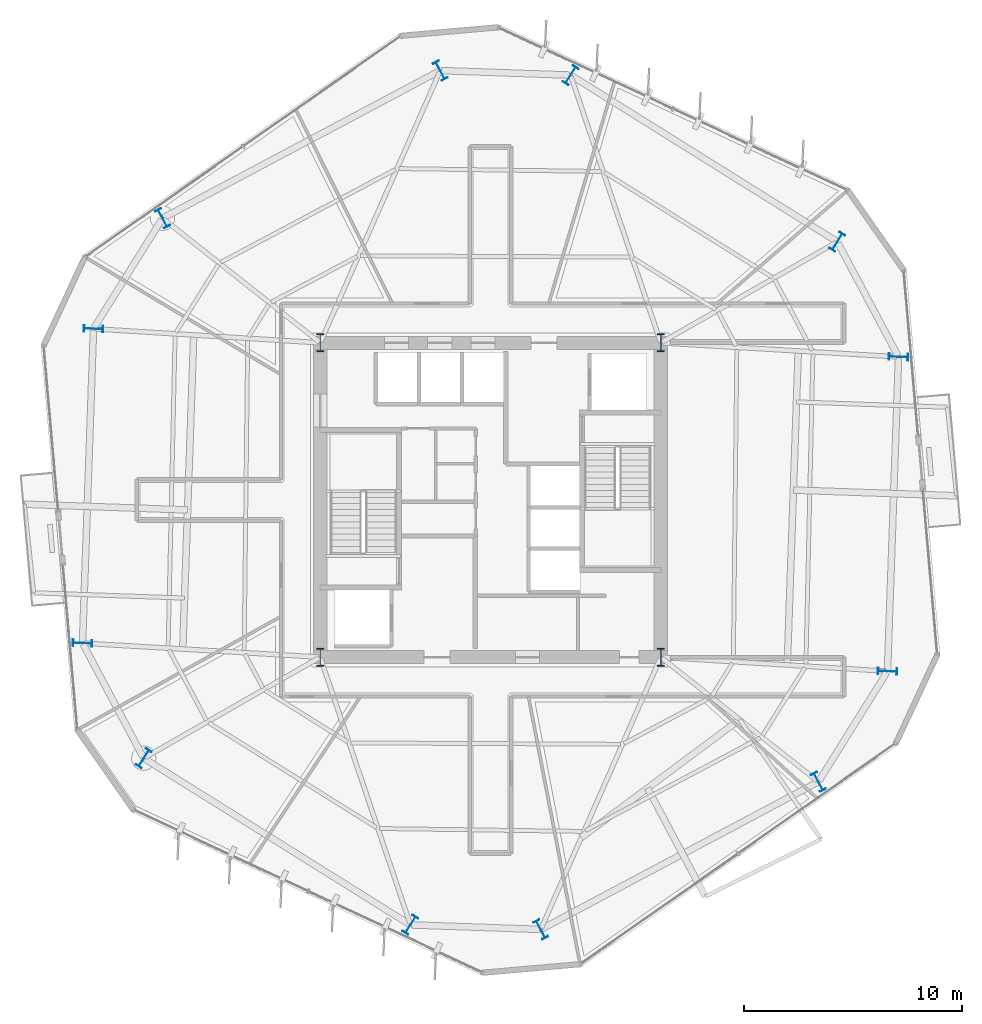
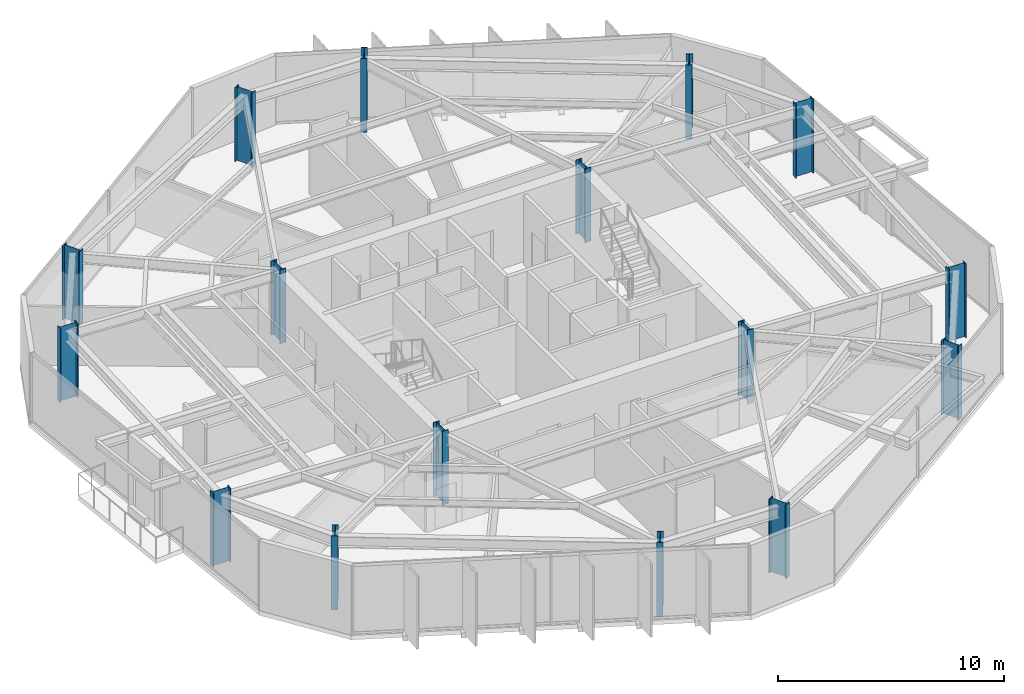
# One storey, part 1 of 13: 16 columns.
"""IFC4 building model written with IfcOpenShell, lengths in metres."""

import ifcopenshell
import ifcopenshell.guid

model = None  # the IFC model being written
_history = None  # IfcOwnerHistory: only IFC2X3 demands one
_inside = {}  # id of a spatial element -> (the spatial element, [elements in it])
_under = {}  # id of a project, library or spatial element -> (it, [spatial elements below it])
_declared = {}  # id of a project -> (the project, [libraries it declares])
_typed = {}  # id of a type object -> (the type object, [elements of that type])
_made_of = {}  # id of a material, layer set ... -> (it, [elements and type objects made of it])


def new_model(schema):
    """Start an empty IFC model of exactly this schema.

    Asked for "IFC4X3", IfcOpenShell would pick the latest addendum, in which some entities
    have other attributes; the version numbers below select the first issue.
    IFC2X3 requires an IfcOwnerHistory on every rooted entity: one is made here for all.
    """
    global model, _history
    if schema == "IFC4X3":
        model = ifcopenshell.file(schema_version=(4, 3, 0, 0))
    else:
        model = ifcopenshell.file(schema=schema)
    _inside.clear()
    _under.clear()
    _declared.clear()
    _typed.clear()
    _made_of.clear()
    _history = None
    if model.schema == "IFC2X3":
        org = make("IfcOrganization", Name="unknown")
        user = make(
            "IfcPersonAndOrganization",
            ThePerson=make("IfcPerson", FamilyName="unknown"),
            TheOrganization=org,
        )
        app = make(
            "IfcApplication",
            ApplicationDeveloper=org,
            Version="unknown",
            ApplicationFullName="unknown",
            ApplicationIdentifier="unknown",
        )
        _history = make(
            "IfcOwnerHistory",
            OwningUser=user,
            OwningApplication=app,
            ChangeAction="ADDED",
            CreationDate=0,
        )
    return model


def make(cls, **values):
    """One entity of the class cls with the attributes given. An attribute that is None is left unset."""
    return model.create_entity(
        cls, **{name: value for name, value in values.items() if value is not None}
    )


def rooted(cls, **values):
    """An entity with a GlobalId (a new one), such as an element, a storey or a relation."""
    return make(cls, GlobalId=ifcopenshell.guid.new(), OwnerHistory=_history, **values)


def si_unit(unit_type, name, prefix=None):
    """IfcSIUnit, for example si_unit("LENGTHUNIT", "METRE", prefix="MILLI")."""
    return make("IfcSIUnit", UnitType=unit_type, Prefix=prefix, Name=name)


def assignment(units):
    """IfcUnitAssignment: the units of a project."""
    return None if units is None else make("IfcUnitAssignment", Units=units)


def point(xyz):
    """IfcCartesianPoint."""
    return None if xyz is None else make("IfcCartesianPoint", Coordinates=xyz)


def direction(xyz):
    """IfcDirection."""
    return None if xyz is None else make("IfcDirection", DirectionRatios=xyz)


def frame(location, z_axis=None, x_axis=None):
    """IfcAxis2Placement3D, a coordinate frame: its origin and axes. An axis left out is left unset."""
    return make(
        "IfcAxis2Placement3D",
        Location=point(location),
        Axis=direction(z_axis),
        RefDirection=direction(x_axis),
    )


def frame_2d(location, x_axis=None):
    """IfcAxis2Placement2D, a coordinate frame in the plane: its origin and x axis."""
    return make(
        "IfcAxis2Placement2D", Location=point(location), RefDirection=direction(x_axis)
    )


def origin():
    """The frame at (0, 0, 0) with its axes left unset."""
    return frame((0.0, 0.0, 0.0))


def origin_2d():
    """The frame at (0, 0) in the plane with its x axis left unset."""
    return frame_2d((0.0, 0.0))


def place(relative_to, where):
    """IfcLocalPlacement: puts the frame where relative to a parent placement (None: the world)."""
    return make(
        "IfcLocalPlacement", PlacementRelTo=relative_to, RelativePlacement=where
    )


def context(
    kind, dimensions, precision=None, world=None, true_north=None, identifier=None
):
    """IfcGeometricRepresentationContext, for example the 3D "Model" context."""
    return make(
        "IfcGeometricRepresentationContext",
        ContextIdentifier=identifier,
        ContextType=kind,
        CoordinateSpaceDimension=dimensions,
        Precision=precision,
        WorldCoordinateSystem=world,
        TrueNorth=true_north,
    )


def subcontext(parent, identifier, kind, view, scale=None):
    """IfcGeometricRepresentationSubContext, for example "Body" below "Model"."""
    return make(
        "IfcGeometricRepresentationSubContext",
        ContextIdentifier=identifier,
        ContextType=kind,
        ParentContext=parent,
        TargetScale=scale,
        TargetView=view,
    )


def project(units=None, contexts=None):
    """IfcProject with its units and contexts."""
    return rooted(
        "IfcProject",
        Name="project",
        RepresentationContexts=contexts,
        UnitsInContext=assignment(units),
    )


def spatial(cls, under=None, at=None, **own):
    """A site, building, storey or space (cls), placed at a placement, below another one or the project."""
    s = rooted(cls, ObjectPlacement=at, **own)
    if under is not None:
        _under.setdefault(under.id(), (under, []))[1].append(s)
    return s


def profile(cls, at=None, kind="AREA", **sizes):
    """A parametric profile (cls). Its sizes go by their IFC names, for example OverallWidth=200.0."""
    return make(cls, ProfileType=kind, Position=at, **sizes)


def i_section(**sizes):
    """IfcIShapeProfileDef."""
    return profile("IfcIShapeProfileDef", **sizes)


def extrude(swept, where, along, depth):
    """IfcExtrudedAreaSolid: the profile swept, set in the frame where, extruded along a direction by depth."""
    return make(
        "IfcExtrudedAreaSolid",
        SweptArea=swept,
        Position=where,
        ExtrudedDirection=direction(along),
        Depth=depth,
    )


def shape(context_of_items, identifier, shape_type, items):
    """IfcShapeRepresentation: the items that make up one representation, for example the "Body"."""
    return make(
        "IfcShapeRepresentation",
        ContextOfItems=context_of_items,
        RepresentationIdentifier=identifier,
        RepresentationType=shape_type,
        Items=items,
    )


def material(Name=None, Category=None):
    """IfcMaterial."""
    return make("IfcMaterial", Name=Name, Category=Category)


def material_profile(
    of_material, cross_section, Name=None, Category=None, Priority=None
):
    """IfcMaterialProfile: a cross section and its material."""
    return make(
        "IfcMaterialProfile",
        Name=Name,
        Material=of_material,
        Profile=cross_section,
        Priority=Priority,
        Category=Category,
    )


def profile_set(profiles, Name=None, composite=None):
    """IfcMaterialProfileSet."""
    return make(
        "IfcMaterialProfileSet",
        Name=Name,
        MaterialProfiles=profiles,
        CompositeProfile=composite,
    )


def made_of(thing, what):
    """Note that an element or type object is made of a material, layer set ...; save() writes the relation."""
    if what is not None:
        _made_of.setdefault(what.id(), (what, []))[1].append(thing)
    return thing


def type_object(cls, material=None, **own):
    """A type object (cls), such as IfcWallType, which elements share."""
    return made_of(rooted(cls, **own), material)


def element(
    cls,
    number,
    at=None,
    inside=None,
    cuts=None,
    type_object=None,
    material=None,
    context=None,
    identifier="Body",
    shape_type=None,
    held_by="IfcProductDefinitionShape",
    body=None,
    shapes=None,
    **own,
):
    """One element of the class cls, such as IfcWall. Its Tag is "e" and its number.

    at: its placement. inside: the storey or other place that contains it. cuts: it is an
    opening in that element (IfcRelVoidsElement). A single representation is given by context,
    identifier, shape_type and body (its items); several are given by shapes. held_by: the class
    of the entity that holds the representations. save() writes the other relations.
    """
    e = rooted(cls, Tag="e%d" % number, ObjectPlacement=at, **own)
    if body is not None:
        shapes = [shape(context, identifier, shape_type, body)]
    if shapes is not None:
        e.Representation = make(held_by, Representations=shapes)
    if inside is not None:
        _inside.setdefault(inside.id(), (inside, []))[1].append(e)
    if cuts is not None:
        rooted(
            "IfcRelVoidsElement", RelatingBuildingElement=cuts, RelatedOpeningElement=e
        )
    if type_object is not None:
        _typed.setdefault(type_object.id(), (type_object, []))[1].append(e)
    return made_of(e, material)


def aggregate(whole, parts):
    """IfcRelAggregates: a whole, such as a stair, and the parts it consists of."""
    return rooted("IfcRelAggregates", RelatingObject=whole, RelatedObjects=parts)


def save(model, path):
    """Write the relations noted so far, then the file.

    IfcRelAggregates (storeys below a building ...), IfcRelContainedInSpatialStructure (elements
    in a storey), IfcRelDefinesByType, IfcRelAssociatesMaterial and IfcRelDeclares: one each for
    every whole, place, type object, material and project.
    """
    for whole, parts in _under.values():
        aggregate(whole, parts)
    for where, things in _inside.values():
        rooted(
            "IfcRelContainedInSpatialStructure",
            RelatedElements=things,
            RelatingStructure=where,
        )
    for kind, things in _typed.values():
        rooted("IfcRelDefinesByType", RelatedObjects=things, RelatingType=kind)
    for what, things in _made_of.values():
        rooted("IfcRelAssociatesMaterial", RelatedObjects=things, RelatingMaterial=what)
    for by, libraries in _declared.values():
        rooted("IfcRelDeclares", RelatingContext=by, RelatedDefinitions=libraries)
    model.write(path)


model = new_model("IFC4")

# Units and contexts
model_context = context("Model", 3, precision=1e-05, world=origin(), true_north=direction((0.0, 1.0)))
body_context = subcontext(model_context, "Body", "Model", "MODEL_VIEW")
ifc_project = project(units=[si_unit("LENGTHUNIT", "METRE"), si_unit("AREAUNIT", "SQUARE_METRE"), si_unit("VOLUMEUNIT", "CUBIC_METRE"), si_unit("PLANEANGLEUNIT", "RADIAN"), si_unit("MASSUNIT", "GRAM", prefix="KILO")], contexts=[model_context])

# Site, building, storey
site_placement = place(None, origin())
site = spatial("IfcSite", under=ifc_project, at=site_placement, CompositionType="ELEMENT")
building_placement = place(site_placement, origin())
building = spatial("IfcBuilding", under=site, at=building_placement, Name="Kranzbogen Civic Tower", CompositionType="ELEMENT")
storey_placement = place(building_placement, frame((0.0, 0.0, 162.39990234375)))
storey = spatial("IfcBuildingStorey", under=building, at=storey_placement, Name="L39", CompositionType="ELEMENT", Elevation=162.39990234375)

# Columns
ifc_material_1 = material(Name="Steel S355", Category="steel")
ifc_material_profile_1 = material_profile(ifc_material_1, i_section(OverallWidth=0.300048828125, OverallDepth=0.89990234375, WebThickness=0.0185546875, FlangeThickness=0.034912109375, at=origin_2d()), Name="HEB 900")
ifc_profile_set_1 = profile_set([ifc_material_profile_1], Name="Steel S355")
column_type_1 = type_object("IfcColumnType", Name="Structural Column HEB 900", PredefinedType="COLUMN", material=ifc_profile_set_1)
for number, where, z_axis, x_axis, name in (
    (1, (40.885986328125, 36.8291015625, 0.0), (0.0, 0.0, 1.0), (-0.848048096156, 0.529919264233, 0.0), "L39 tower perimeter tube column 01"),
    (2, (28.66796875, 44.464111328125, 0.0), (0.0, 0.0, 1.0), (-0.848048096156, 0.529919264233, 0.0), "L39 tower perimeter tube column 02"),
    (3, (22.698974609375, 44.672119140625, 0.0), (0.0, 0.0, 1.0), (0.882947592859, 0.469471562786, 0.0), "L39 tower perimeter tube column 03"),
    (4, (9.97705078125, 37.907958984375, 0.0), (0.0, 0.0, 1.0), (0.882947592859, 0.469471562786, 0.0), "L39 tower perimeter tube column 04"),
    (5, (6.81298828125, 32.843994140625, 0.0), (0.0, 0.0, 1.0), (0.034899496703, 0.999390827019, 0.0), "L39 tower perimeter tube column 05"),
    (6, (6.31005859375, 18.444091796875, 0.0), (0.0, 0.0, 1.0), (0.034899496703, 0.999390827019, 0.0), "L39 tower perimeter tube column 06"),
    (7, (9.114013671875, 13.1708984375, 0.0), (0.0, 0.0, 1.0), (-0.848048096156, 0.529919264233, 0.0), "L39 tower perimeter tube column 07"),
    (8, (21.33203125, 5.535888671875, 0.0), (0.0, 0.0, 1.0), (-0.848048096156, 0.529919264233, 0.0), "L39 tower perimeter tube column 08"),
    (9, (27.301025390625, 5.327880859375, 0.0), (0.0, 0.0, 1.0), (0.882947592859, 0.469471562786, 0.0), "L39 tower perimeter tube column 09"),
    (10, (40.02294921875, 12.092041015625, 0.0), (0.0, 0.0, 1.0), (0.882947592859, 0.469471562786, 0.0), "L39 tower perimeter tube column 10"),
    (11, (43.18701171875, 17.156005859375, 0.0), (0.0, 0.0, 1.0), (0.034899496703, 0.999390827019, 0.0), "L39 tower perimeter tube column 11"),
    (12, (43.68994140625, 31.555908203125, 0.0), (0.0, 0.0, 1.0), (0.034899496703, 0.999390827019, 0.0), "L39 tower perimeter tube column 12"),
):
    element("IfcColumn", number, at=place(storey_placement, frame(where, z_axis=z_axis, x_axis=x_axis)), inside=storey, type_object=column_type_1, Name=name, PredefinedType="COLUMN", context=body_context, shape_type="SweptSolid", body=[
        extrude(i_section(OverallWidth=0.300048828125, OverallDepth=0.89990234375, WebThickness=0.0185546875, FlangeThickness=0.034912109375, at=origin_2d()), origin(), (0.0, 0.0, 1.0), 4.0),
    ])
ifc_material_2 = material(Name="Steel S460", Category="steel")
ifc_material_profile_2 = material_profile(ifc_material_2, i_section(OverallWidth=0.302978515625, OverallDepth=0.81396484375, WebThickness=0.02099609375, FlangeThickness=0.0400390625, at=origin_2d()), Name="HEM 800")
ifc_profile_set_2 = profile_set([ifc_material_profile_2], Name="Steel S460")
column_type_2 = type_object("IfcColumnType", Name="Structural Column HEM 800", PredefinedType="COLUMN", material=ifc_profile_set_2)
for number, where, z_axis, x_axis, name in (
    (13, (17.199951171875, 17.800048828125, 0.0), (0.0, 0.0, 1.0), (1.0, 0.0, 0.0), "L39 composite core corner column 1"),
    (14, (32.800048828125, 17.800048828125, 0.0), (0.0, 0.0, 1.0), (1.0, 0.0, 0.0), "L39 composite core corner column 2"),
    (15, (32.800048828125, 32.199951171875, 0.0), (0.0, 0.0, 1.0), (1.0, 0.0, 0.0), "L39 composite core corner column 3"),
    (16, (17.199951171875, 32.199951171875, 0.0), (0.0, 0.0, 1.0), (1.0, 0.0, 0.0), "L39 composite core corner column 4"),
):
    element("IfcColumn", number, at=place(storey_placement, frame(where, z_axis=z_axis, x_axis=x_axis)), inside=storey, type_object=column_type_2, Name=name, PredefinedType="COLUMN", context=body_context, shape_type="SweptSolid", body=[
        extrude(i_section(OverallWidth=0.302978515625, OverallDepth=0.81396484375, WebThickness=0.02099609375, FlangeThickness=0.0400390625, at=origin_2d()), origin(), (0.0, 0.0, 1.0), 4.0),
    ])

save(model, "model.ifc")
